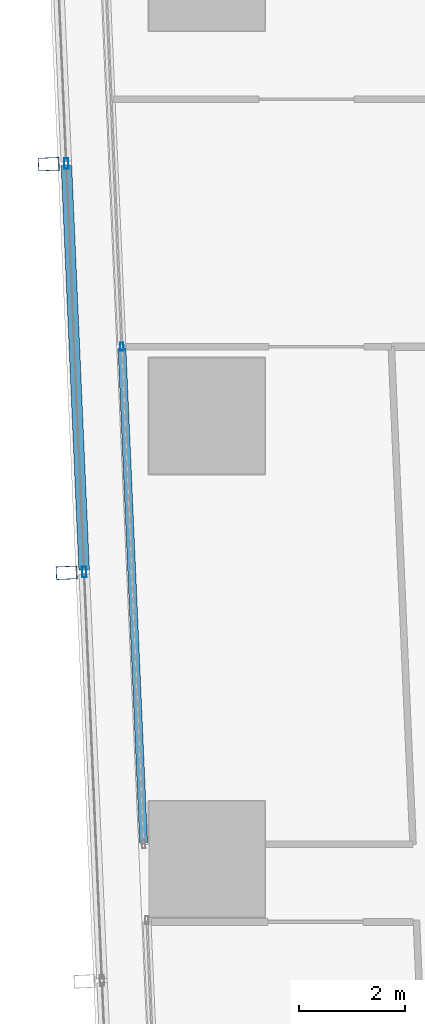
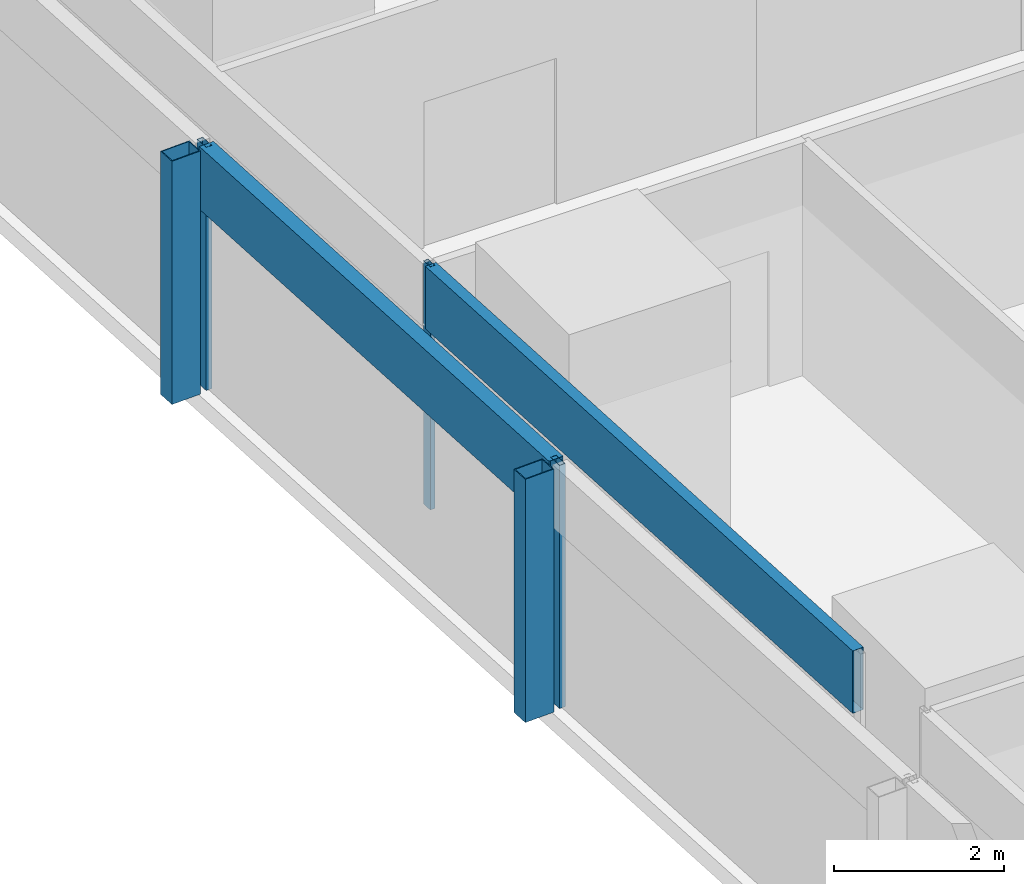
# One storey, part 7 of 44: 7 members, 2 elements without a shape of their own.
"""IFC4 building model written with IfcOpenShell, lengths in metres."""

from ifc_helpers import new_model, si_unit, direction, frame, origin, origin_2d, place, context, subcontext, project, spatial, hollow_rectangle, extrude, material, material_profile, profile_set, type_object, element, aggregate, save


model = new_model("IFC4")

# Units and contexts
model_context = context("Model", 3, precision=1e-05, world=origin(), true_north=direction((0.0, 1.0)))
body_context = subcontext(model_context, "Body", "Model", "MODEL_VIEW")
ifc_project = project(units=[si_unit("LENGTHUNIT", "METRE"), si_unit("AREAUNIT", "SQUARE_METRE"), si_unit("VOLUMEUNIT", "CUBIC_METRE"), si_unit("PLANEANGLEUNIT", "RADIAN"), si_unit("MASSUNIT", "GRAM", prefix="KILO")], contexts=[model_context])

# Site, building, storey
site_placement = place(None, origin())
site = spatial("IfcSite", under=ifc_project, at=site_placement, CompositionType="ELEMENT")
building_placement = place(site_placement, origin())
building = spatial("IfcBuilding", under=site, at=building_placement, Name="Rekha Terrace Tower", CompositionType="ELEMENT")
storey_placement = place(building_placement, frame((0.0, 0.0, 59.14990234375)))
storey = spatial("IfcBuildingStorey", under=building, at=storey_placement, Name="L14", CompositionType="ELEMENT", Elevation=59.14990234375)

# Curtain wall, members
ifc_material_1 = material(Name="Aluminium framing", Category="aluminium")
curtain_wall_type_1 = type_object("IfcCurtainWallType", Name="CW2 double skin outer glazing", PredefinedType="USERDEFINED", material=ifc_material_1)
curtain_wall_1_placement = place(storey_placement, origin())
curtain_wall_1 = element("IfcCurtainWall", 1, at=curtain_wall_1_placement, inside=storey, type_object=curtain_wall_type_1, Name="CW2 double skin outer glazing", ObjectType="DOUBLE SKIN OUTER GLAZING", PredefinedType="USERDEFINED")
ifc_material_2 = material(Name="Steel S355 with fluorocarbon finish", Category="steel")
ifc_material_profile_1 = material_profile(ifc_material_2, hollow_rectangle(XDim=0.25, YDim=0.39990234375, WallThickness=0.012451171875, at=origin_2d()), Name="RHS400x250x12.5")
ifc_profile_set_1 = profile_set([ifc_material_profile_1], Name="Steel S355 with fluorocarbon finish")
member_type_1 = type_object("IfcMemberType", Name="BL1 facade blade RHS 400 x 250", PredefinedType="USERDEFINED", material=ifc_profile_set_1)
member_1_placement = place(storey_placement, frame((5.40283203125, 29.97119140625, 0.0), z_axis=(0.0, 0.0, 1.0), x_axis=(0.04368215933, -0.999045478923, 0.0)))
member_1 = element("IfcMember", 2, at=member_1_placement, type_object=member_type_1, Name="Facade blade", ObjectType="FACADE BLADE", PredefinedType="USERDEFINED", context=body_context, shape_type="SweptSolid", body=[
    extrude(hollow_rectangle(XDim=0.25, YDim=0.39990234375, WallThickness=0.012451171875, at=origin_2d()), origin(), (0.0, 0.0, 1.0), 3.5),
])
member_2_placement = place(storey_placement, frame((5.74169921875, 22.226806640625, 0.0), z_axis=(0.0, 0.0, 1.0), x_axis=(0.04368215933, -0.999045478923, 0.0)))
member_2 = element("IfcMember", 3, at=member_2_placement, type_object=member_type_1, Name="Facade blade", ObjectType="FACADE BLADE", PredefinedType="USERDEFINED", context=body_context, shape_type="SweptSolid", body=[
    extrude(hollow_rectangle(XDim=0.25, YDim=0.39990234375, WallThickness=0.012451171875, at=origin_2d()), origin(), (0.0, 0.0, 1.0), 3.5),
])

curtain_wall_type_2 = type_object("IfcCurtainWallType", Name="CW1 double skin inner glazing", PredefinedType="USERDEFINED", material=ifc_material_1)
curtain_wall_2_placement = place(storey_placement, origin())
curtain_wall_2 = element("IfcCurtainWall", 4, at=curtain_wall_2_placement, inside=storey, type_object=curtain_wall_type_2, Name="CW1 double skin inner glazing", ObjectType="DOUBLE SKIN INNER GLAZING", PredefinedType="USERDEFINED")
ifc_material_3 = material(Name="Aluminium mullion section", Category="aluminium")
ifc_material_profile_2 = material_profile(ifc_material_3, hollow_rectangle(XDim=0.06494140625, YDim=0.14990234375, WallThickness=0.00390625, at=origin_2d()), Name="AL RHS 65x150")
ifc_profile_set_2 = profile_set([ifc_material_profile_2], Name="Aluminium mullion section")
member_type_2 = type_object("IfcMemberType", Name="CW1 mullion RHS 65 x 150", PredefinedType="MULLION", material=ifc_profile_set_2)
member_3_placement = place(storey_placement, frame((6.790283203125, 26.5126953125, 0.0), z_axis=(0.0, 0.0, 1.0), x_axis=(0.999045462133, 0.043682543337, 0.0)))
member_3 = element("IfcMember", 5, at=member_3_placement, type_object=member_type_2, Name="CW1 mullion 3", PredefinedType="MULLION", context=body_context, shape_type="SweptSolid", body=[
    extrude(hollow_rectangle(XDim=0.06494140625, YDim=0.14990234375, WallThickness=0.00390625, at=origin_2d()), origin(), (0.0, 0.0, 1.0), 3.5),
])
ifc_material_4 = material(Name="Insulated aluminium spandrel box", Category="aluminium")
ifc_material_profile_3 = material_profile(ifc_material_4, hollow_rectangle(XDim=0.14990234375, YDim=0.89990234375, WallThickness=0.0029296875, at=origin_2d()), Name="AL SPANDREL BOX 150x900")
ifc_profile_set_3 = profile_set([ifc_material_profile_3], Name="Insulated aluminium spandrel box")
member_type_3 = type_object("IfcMemberType", Name="CW1 spandrel transom 150 x 900", PredefinedType="USERDEFINED", material=ifc_profile_set_3)
member_4_placement = place(storey_placement, frame((6.791748046875, 26.480224609375, 3.050048828125), z_axis=(0.043688050697, -0.999045221312, 0.0), x_axis=(0.999045221312, 0.043688050697, 0.0)))
member_4 = element("IfcMember", 6, at=member_4_placement, type_object=member_type_3, Name="CW1 spandrel transom 3", ObjectType="TRANSOM", PredefinedType="USERDEFINED", context=body_context, shape_type="SweptSolid", body=[
    extrude(hollow_rectangle(XDim=0.14990234375, YDim=0.89990234375, WallThickness=0.0029296875, at=origin_2d()), origin(), (0.0, 0.0, 1.0), 9.377197265625),
])
aggregate(curtain_wall_2, [member_3, member_4])

# Member
ifc_material_profile_4 = material_profile(ifc_material_3, hollow_rectangle(XDim=0.080078125, YDim=0.199951171875, WallThickness=0.00390625, at=origin_2d()), Name="AL RHS 80x200")
ifc_profile_set_4 = profile_set([ifc_material_profile_4], Name="Aluminium mullion section")
member_type_4 = type_object("IfcMemberType", Name="CW2 mullion RHS 80 x 200", PredefinedType="MULLION", material=ifc_profile_set_4)
member_5_placement = place(storey_placement, frame((5.737548828125, 29.98583984375, 0.0), z_axis=(0.0, 0.0, 1.0), x_axis=(0.999045462131, 0.043682543372, 0.0)))
member_5 = element("IfcMember", 7, at=member_5_placement, type_object=member_type_4, Name="CW2 mullion 3", PredefinedType="MULLION", context=body_context, shape_type="SweptSolid", body=[
    extrude(hollow_rectangle(XDim=0.080078125, YDim=0.199951171875, WallThickness=0.00390625, at=origin_2d()), origin(), (0.0, 0.0, 1.0), 3.5),
])

member_6_placement = place(storey_placement, frame((6.076171875, 22.241455078125, 0.0), z_axis=(0.0, 0.0, 1.0), x_axis=(0.999045462131, 0.043682543372, 0.0)))
member_6 = element("IfcMember", 8, at=member_6_placement, type_object=member_type_4, Name="CW2 mullion 4", PredefinedType="MULLION", context=body_context, shape_type="SweptSolid", body=[
    extrude(hollow_rectangle(XDim=0.080078125, YDim=0.199951171875, WallThickness=0.00390625, at=origin_2d()), origin(), (0.0, 0.0, 1.0), 3.5),
])

ifc_material_profile_5 = material_profile(ifc_material_4, hollow_rectangle(XDim=0.199951171875, YDim=0.89990234375, WallThickness=0.0029296875, at=origin_2d()), Name="AL SPANDREL BOX 200x900")
ifc_profile_set_5 = profile_set([ifc_material_profile_5], Name="Insulated aluminium spandrel box")
member_type_5 = type_object("IfcMemberType", Name="CW2 spandrel transom 200 x 900", PredefinedType="USERDEFINED", material=ifc_profile_set_5)
member_7_placement = place(storey_placement, frame((5.7392578125, 29.94580078125, 3.050048828125), z_axis=(0.04369270591, -0.99904501773, 0.0), x_axis=(0.99904501773, 0.04369270591, 0.0)))
member_7 = element("IfcMember", 9, at=member_7_placement, type_object=member_type_5, Name="CW2 spandrel transom 3", ObjectType="TRANSOM", PredefinedType="USERDEFINED", context=body_context, shape_type="SweptSolid", body=[
    extrude(hollow_rectangle(XDim=0.199951171875, YDim=0.89990234375, WallThickness=0.0029296875, at=origin_2d()), origin(), (0.0, 0.0, 1.0), 7.671875),
])

aggregate(curtain_wall_1, [member_5, member_6, member_7, member_1, member_2])

save(model, "model.ifc")
